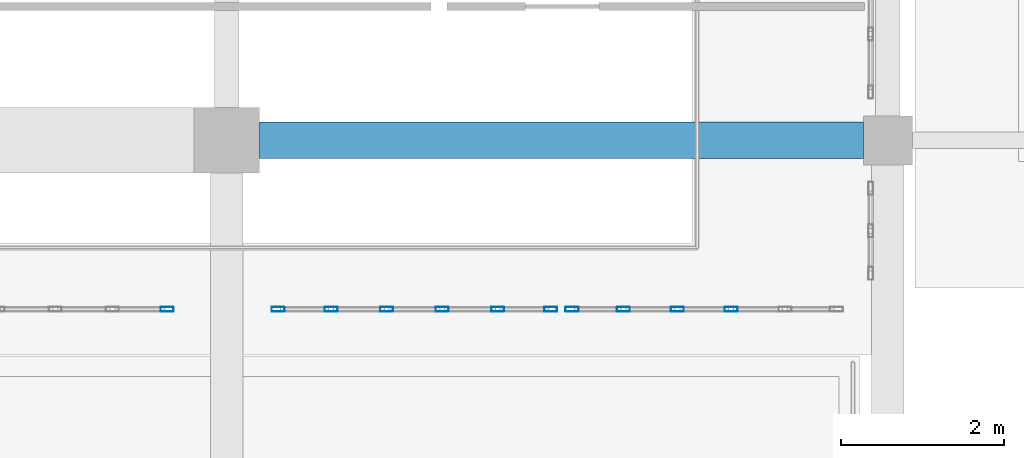
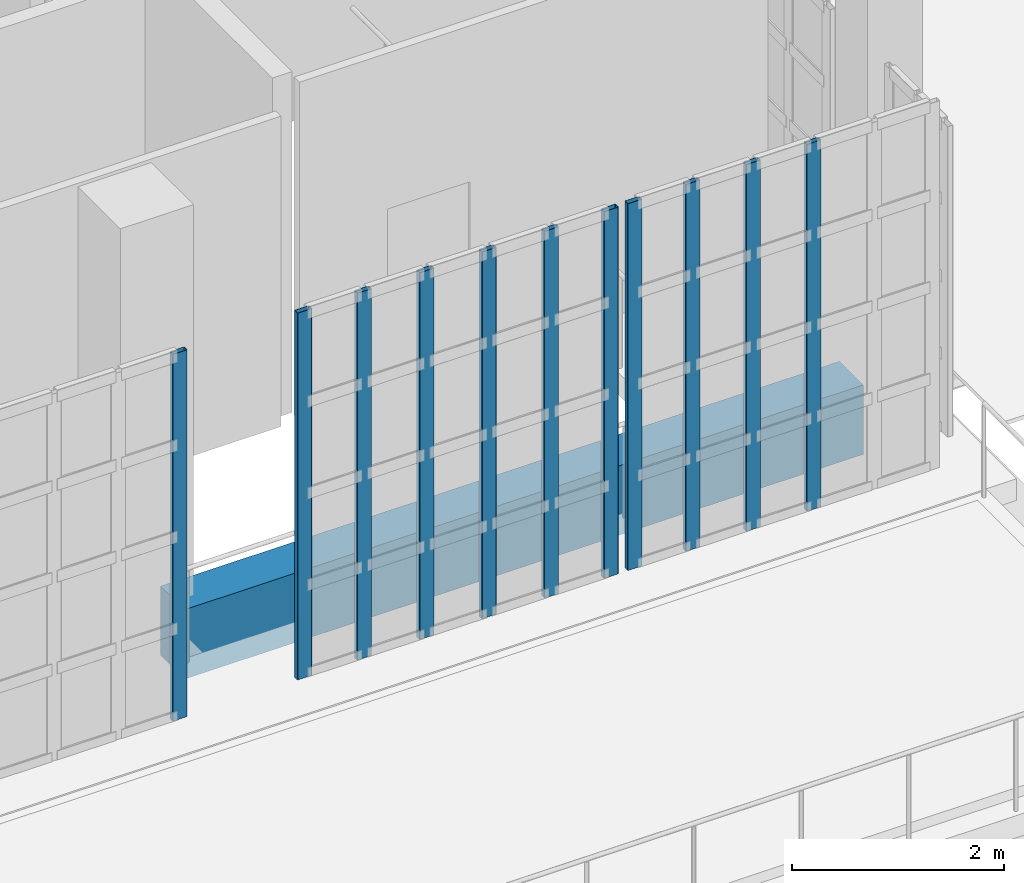
# One storey, part 12 of 56: 11 members, 1 beam, 3 elements without a shape of their own.
"""IFC4 building model written with IfcOpenShell, lengths in metres."""

from ifc_helpers import new_model, si_unit, direction, frame, origin, origin_2d, place, context, subcontext, project, spatial, rectangle, hollow_rectangle, extrude, material, material_profile, profile_set, type_object, element, aggregate, save


model = new_model("IFC4")

# Units and contexts
model_context = context("Model", 3, precision=1e-05, world=origin(), true_north=direction((0.0, 1.0)))
body_context = subcontext(model_context, "Body", "Model", "MODEL_VIEW")
ifc_project = project(units=[si_unit("LENGTHUNIT", "METRE"), si_unit("AREAUNIT", "SQUARE_METRE"), si_unit("VOLUMEUNIT", "CUBIC_METRE"), si_unit("PLANEANGLEUNIT", "RADIAN"), si_unit("MASSUNIT", "GRAM", prefix="KILO")], contexts=[model_context])

# Site, building, storey
site_placement = place(None, origin())
site = spatial("IfcSite", under=ifc_project, at=site_placement, CompositionType="ELEMENT")
building_placement = place(site_placement, origin())
building = spatial("IfcBuilding", under=site, at=building_placement, Name="Kaelora Sail Theatre", CompositionType="ELEMENT")
storey_placement = place(building_placement, frame((0.0, 0.0, 14.699951171875)))
storey = spatial("IfcBuildingStorey", under=building, at=storey_placement, Name="L03", CompositionType="ELEMENT", Elevation=14.699951171875)

# Curtain wall, member
ifc_material_1 = material(Name="Anodised aluminium and solar-control low-E IGU", Category="aluminium")
curtain_wall_type = type_object("IfcCurtainWallType", Name="ARC-CW-CW-BRG", PredefinedType="NOTDEFINED", material=ifc_material_1)
curtain_wall_1_placement = place(storey_placement, origin())
curtain_wall_1 = element("IfcCurtainWall", 1, at=curtain_wall_1_placement, inside=storey, type_object=curtain_wall_type, Name="Glazed Foyer/Conservatory Curtain Wall FC1-S-L03-09", PredefinedType="NOTDEFINED")
ifc_material_2 = material(Name="Anodised aluminium 6063-T6", Category="aluminium")
ifc_material_profile_1 = material_profile(ifc_material_2, hollow_rectangle(XDim=0.06005859375, YDim=0.159912109375, WallThickness=0.00390625, InnerFilletRadius=0.00390625, OuterFilletRadius=0.008056640625, at=origin_2d()), Name="ALU-MULL 60x160x4")
ifc_profile_set_1 = profile_set([ifc_material_profile_1], Name="Anodised aluminium 6063-T6")
member_type = type_object("IfcMemberType", Name="ARC-MEM-ML-160", PredefinedType="MULLION", material=ifc_profile_set_1)
member_1_placement = place(storey_placement, frame((81.77001953125, 66.389892578125, 0.0), z_axis=(0.0, 0.0, 1.0), x_axis=(0.0, 1.0, 0.0)))
member_1 = element("IfcMember", 2, at=member_1_placement, type_object=member_type, Name="CW-BRG mullion 5", PredefinedType="MULLION", context=body_context, shape_type="SweptSolid", body=[
    extrude(hollow_rectangle(XDim=0.06005859375, YDim=0.159912109375, WallThickness=0.00390625, InnerFilletRadius=0.00390625, OuterFilletRadius=0.008056640625, at=origin_2d()), origin(), (0.0, 0.0, 1.0), 4.22509765625),
])
aggregate(curtain_wall_1, [member_1])

# Curtain wall, members
curtain_wall_2_placement = place(storey_placement, origin())
curtain_wall_2 = element("IfcCurtainWall", 3, at=curtain_wall_2_placement, inside=storey, type_object=curtain_wall_type, Name="Glazed Foyer/Conservatory Curtain Wall FC1-S-L03-10", PredefinedType="NOTDEFINED")
member_2_placement = place(storey_placement, frame((83.1298828125, 66.389892578125, 0.0), z_axis=(0.0, 0.0, 1.0), x_axis=(0.0, 1.0, 0.0)))
member_2 = element("IfcMember", 4, at=member_2_placement, type_object=member_type, Name="CW-BRG mullion 1", PredefinedType="MULLION", context=body_context, shape_type="SweptSolid", body=[
    extrude(hollow_rectangle(XDim=0.06005859375, YDim=0.159912109375, WallThickness=0.00390625, InnerFilletRadius=0.00390625, OuterFilletRadius=0.008056640625, at=origin_2d()), origin(), (0.0, 0.0, 1.0), 4.22509765625),
])
member_3_placement = place(storey_placement, frame((83.780029296875, 66.389892578125, 0.0), z_axis=(0.0, 0.0, 1.0), x_axis=(0.0, 1.0, 0.0)))
member_3 = element("IfcMember", 5, at=member_3_placement, type_object=member_type, Name="CW-BRG mullion 2", PredefinedType="MULLION", context=body_context, shape_type="SweptSolid", body=[
    extrude(hollow_rectangle(XDim=0.06005859375, YDim=0.159912109375, WallThickness=0.00390625, InnerFilletRadius=0.00390625, OuterFilletRadius=0.008056640625, at=origin_2d()), origin(), (0.0, 0.0, 1.0), 4.22509765625),
])
member_4_placement = place(storey_placement, frame((84.4599609375, 66.389892578125, 0.0), z_axis=(0.0, 0.0, 1.0), x_axis=(0.0, 1.0, 0.0)))
member_4 = element("IfcMember", 6, at=member_4_placement, type_object=member_type, Name="CW-BRG mullion 3", PredefinedType="MULLION", context=body_context, shape_type="SweptSolid", body=[
    extrude(hollow_rectangle(XDim=0.06005859375, YDim=0.159912109375, WallThickness=0.00390625, InnerFilletRadius=0.00390625, OuterFilletRadius=0.008056640625, at=origin_2d()), origin(), (0.0, 0.0, 1.0), 4.22509765625),
])
member_5_placement = place(storey_placement, frame((85.139892578125, 66.389892578125, 0.0), z_axis=(0.0, 0.0, 1.0), x_axis=(0.0, 1.0, 0.0)))
member_5 = element("IfcMember", 7, at=member_5_placement, type_object=member_type, Name="CW-BRG mullion 4", PredefinedType="MULLION", context=body_context, shape_type="SweptSolid", body=[
    extrude(hollow_rectangle(XDim=0.06005859375, YDim=0.159912109375, WallThickness=0.00390625, InnerFilletRadius=0.00390625, OuterFilletRadius=0.008056640625, at=origin_2d()), origin(), (0.0, 0.0, 1.0), 4.22509765625),
])
member_6_placement = place(storey_placement, frame((85.820068359375, 66.389892578125, 0.0), z_axis=(0.0, 0.0, 1.0), x_axis=(0.0, 1.0, 0.0)))
member_6 = element("IfcMember", 8, at=member_6_placement, type_object=member_type, Name="CW-BRG mullion 5", PredefinedType="MULLION", context=body_context, shape_type="SweptSolid", body=[
    extrude(hollow_rectangle(XDim=0.06005859375, YDim=0.159912109375, WallThickness=0.00390625, InnerFilletRadius=0.00390625, OuterFilletRadius=0.008056640625, at=origin_2d()), origin(), (0.0, 0.0, 1.0), 4.22509765625),
])
member_7_placement = place(storey_placement, frame((86.469970703125, 66.389892578125, 0.0), z_axis=(0.0, 0.0, 1.0), x_axis=(0.0, 1.0, 0.0)))
member_7 = element("IfcMember", 9, at=member_7_placement, type_object=member_type, Name="CW-BRG mullion 6", PredefinedType="MULLION", context=body_context, shape_type="SweptSolid", body=[
    extrude(hollow_rectangle(XDim=0.06005859375, YDim=0.159912109375, WallThickness=0.00390625, InnerFilletRadius=0.00390625, OuterFilletRadius=0.008056640625, at=origin_2d()), origin(), (0.0, 0.0, 1.0), 4.22509765625),
])
aggregate(curtain_wall_2, [member_2, member_3, member_4, member_5, member_6, member_7])

curtain_wall_3_placement = place(storey_placement, origin())
curtain_wall_3 = element("IfcCurtainWall", 10, at=curtain_wall_3_placement, inside=storey, type_object=curtain_wall_type, Name="Glazed Foyer/Conservatory Curtain Wall FC1-S-L03-11", PredefinedType="NOTDEFINED")
member_8_placement = place(storey_placement, frame((86.72998046875, 66.389892578125, 0.0), z_axis=(0.0, 0.0, 1.0), x_axis=(0.0, 1.0, 0.0)))
member_8 = element("IfcMember", 11, at=member_8_placement, type_object=member_type, Name="CW-BRG mullion 1", PredefinedType="MULLION", context=body_context, shape_type="SweptSolid", body=[
    extrude(hollow_rectangle(XDim=0.06005859375, YDim=0.159912109375, WallThickness=0.00390625, InnerFilletRadius=0.00390625, OuterFilletRadius=0.008056640625, at=origin_2d()), origin(), (0.0, 0.0, 1.0), 4.22509765625),
])
member_9_placement = place(storey_placement, frame((87.360107421875, 66.389892578125, 0.0), z_axis=(0.0, 0.0, 1.0), x_axis=(0.0, 1.0, 0.0)))
member_9 = element("IfcMember", 12, at=member_9_placement, type_object=member_type, Name="CW-BRG mullion 2", PredefinedType="MULLION", context=body_context, shape_type="SweptSolid", body=[
    extrude(hollow_rectangle(XDim=0.06005859375, YDim=0.159912109375, WallThickness=0.00390625, InnerFilletRadius=0.00390625, OuterFilletRadius=0.008056640625, at=origin_2d()), origin(), (0.0, 0.0, 1.0), 4.22509765625),
])
member_10_placement = place(storey_placement, frame((88.02001953125, 66.389892578125, 0.0), z_axis=(0.0, 0.0, 1.0), x_axis=(0.0, 1.0, 0.0)))
member_10 = element("IfcMember", 13, at=member_10_placement, type_object=member_type, Name="CW-BRG mullion 3", PredefinedType="MULLION", context=body_context, shape_type="SweptSolid", body=[
    extrude(hollow_rectangle(XDim=0.06005859375, YDim=0.159912109375, WallThickness=0.00390625, InnerFilletRadius=0.00390625, OuterFilletRadius=0.008056640625, at=origin_2d()), origin(), (0.0, 0.0, 1.0), 4.22509765625),
])
member_11_placement = place(storey_placement, frame((88.679931640625, 66.389892578125, 0.0), z_axis=(0.0, 0.0, 1.0), x_axis=(0.0, 1.0, 0.0)))
member_11 = element("IfcMember", 14, at=member_11_placement, type_object=member_type, Name="CW-BRG mullion 4", PredefinedType="MULLION", context=body_context, shape_type="SweptSolid", body=[
    extrude(hollow_rectangle(XDim=0.06005859375, YDim=0.159912109375, WallThickness=0.00390625, InnerFilletRadius=0.00390625, OuterFilletRadius=0.008056640625, at=origin_2d()), origin(), (0.0, 0.0, 1.0), 4.22509765625),
])
aggregate(curtain_wall_3, [member_8, member_9, member_10, member_11])

# Beam
ifc_material_3 = material(Name="Concrete C45/55", Category="concrete")
ifc_material_profile_2 = material_profile(ifc_material_3, rectangle(XDim=0.449951171875, YDim=0.800048828125, at=origin_2d()), Name="RC-BM 450x800")
ifc_profile_set_2 = profile_set([ifc_material_profile_2], Name="Concrete C45/55")
beam_type = type_object("IfcBeamType", Name="STR-BM-BM-RC4580", PredefinedType="BEAM", material=ifc_profile_set_2)
beam_placement = place(storey_placement, frame((82.89990234375, 68.4599609375, -0.675048828125), z_axis=(1.0, 0.0, 0.0), x_axis=(0.0, 1.0, 0.0)))
element("IfcBeam", 15, at=beam_placement, inside=storey, type_object=beam_type, Name="Primary beam J 11-12 (L03)", PredefinedType="BEAM", context=body_context, shape_type="SweptSolid", body=[
    extrude(rectangle(XDim=0.449951171875, YDim=0.800048828125, at=origin_2d()), origin(), (0.0, 0.0, 1.0), 7.400146484375),
])

save(model, "model.ifc")
